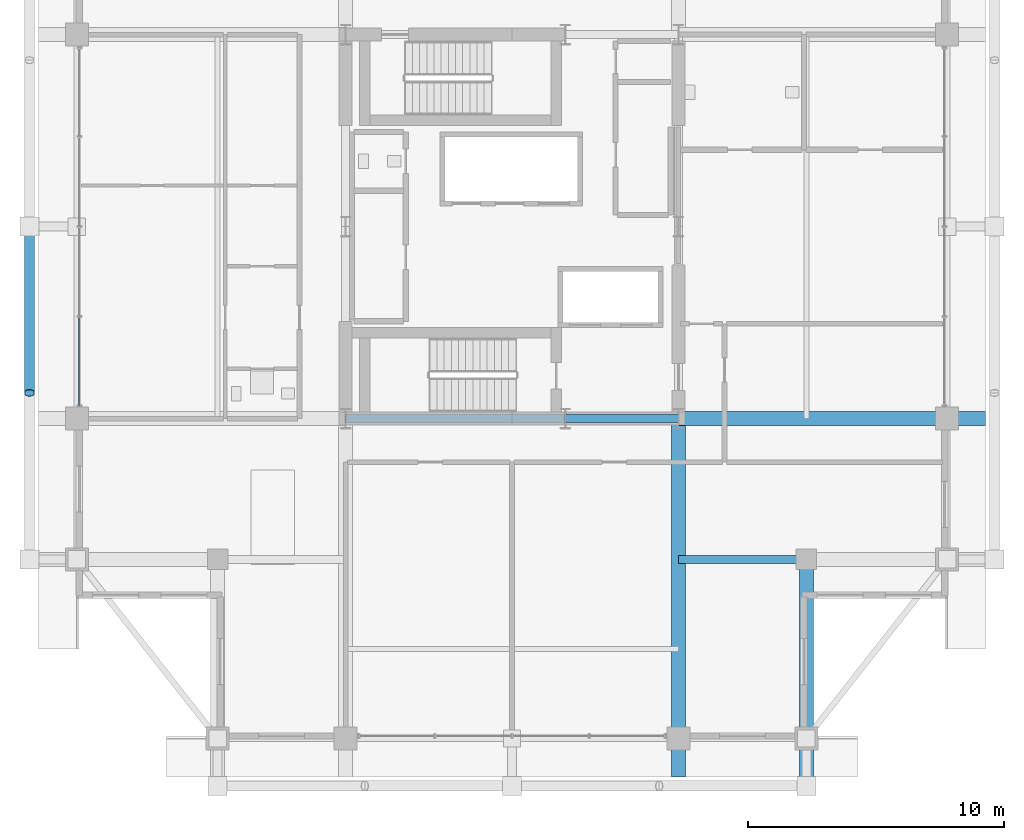
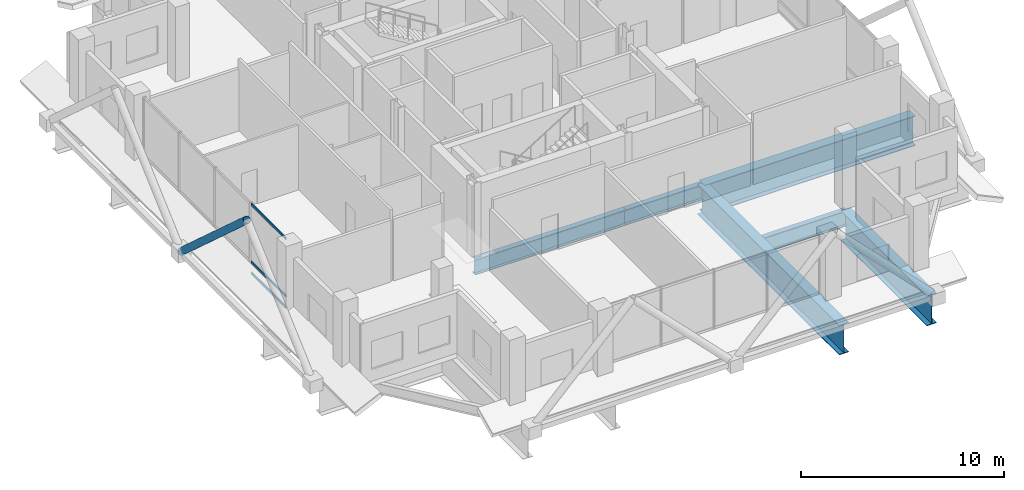
# One storey, part 8 of 27: 6 beams, 4 members, 1 element without a shape of its own.
"""IFC4 building model written with IfcOpenShell, lengths in metres."""

import ifcopenshell
import ifcopenshell.guid

model = None  # the IFC model being written
_history = None  # IfcOwnerHistory: only IFC2X3 demands one
_inside = {}  # id of a spatial element -> (the spatial element, [elements in it])
_under = {}  # id of a project, library or spatial element -> (it, [spatial elements below it])
_declared = {}  # id of a project -> (the project, [libraries it declares])
_typed = {}  # id of a type object -> (the type object, [elements of that type])
_made_of = {}  # id of a material, layer set ... -> (it, [elements and type objects made of it])


def new_model(schema):
    """Start an empty IFC model of exactly this schema.

    Asked for "IFC4X3", IfcOpenShell would pick the latest addendum, in which some entities
    have other attributes; the version numbers below select the first issue.
    IFC2X3 requires an IfcOwnerHistory on every rooted entity: one is made here for all.
    """
    global model, _history
    if schema == "IFC4X3":
        model = ifcopenshell.file(schema_version=(4, 3, 0, 0))
    else:
        model = ifcopenshell.file(schema=schema)
    _inside.clear()
    _under.clear()
    _declared.clear()
    _typed.clear()
    _made_of.clear()
    _history = None
    if model.schema == "IFC2X3":
        org = make("IfcOrganization", Name="unknown")
        user = make(
            "IfcPersonAndOrganization",
            ThePerson=make("IfcPerson", FamilyName="unknown"),
            TheOrganization=org,
        )
        app = make(
            "IfcApplication",
            ApplicationDeveloper=org,
            Version="unknown",
            ApplicationFullName="unknown",
            ApplicationIdentifier="unknown",
        )
        _history = make(
            "IfcOwnerHistory",
            OwningUser=user,
            OwningApplication=app,
            ChangeAction="ADDED",
            CreationDate=0,
        )
    return model


def make(cls, **values):
    """One entity of the class cls with the attributes given. An attribute that is None is left unset."""
    return model.create_entity(
        cls, **{name: value for name, value in values.items() if value is not None}
    )


def rooted(cls, **values):
    """An entity with a GlobalId (a new one), such as an element, a storey or a relation."""
    return make(cls, GlobalId=ifcopenshell.guid.new(), OwnerHistory=_history, **values)


def si_unit(unit_type, name, prefix=None):
    """IfcSIUnit, for example si_unit("LENGTHUNIT", "METRE", prefix="MILLI")."""
    return make("IfcSIUnit", UnitType=unit_type, Prefix=prefix, Name=name)


def assignment(units):
    """IfcUnitAssignment: the units of a project."""
    return None if units is None else make("IfcUnitAssignment", Units=units)


def point(xyz):
    """IfcCartesianPoint."""
    return None if xyz is None else make("IfcCartesianPoint", Coordinates=xyz)


def direction(xyz):
    """IfcDirection."""
    return None if xyz is None else make("IfcDirection", DirectionRatios=xyz)


def frame(location, z_axis=None, x_axis=None):
    """IfcAxis2Placement3D, a coordinate frame: its origin and axes. An axis left out is left unset."""
    return make(
        "IfcAxis2Placement3D",
        Location=point(location),
        Axis=direction(z_axis),
        RefDirection=direction(x_axis),
    )


def frame_2d(location, x_axis=None):
    """IfcAxis2Placement2D, a coordinate frame in the plane: its origin and x axis."""
    return make(
        "IfcAxis2Placement2D", Location=point(location), RefDirection=direction(x_axis)
    )


def origin():
    """The frame at (0, 0, 0) with its axes left unset."""
    return frame((0.0, 0.0, 0.0))


def origin_2d():
    """The frame at (0, 0) in the plane with its x axis left unset."""
    return frame_2d((0.0, 0.0))


def place(relative_to, where):
    """IfcLocalPlacement: puts the frame where relative to a parent placement (None: the world)."""
    return make(
        "IfcLocalPlacement", PlacementRelTo=relative_to, RelativePlacement=where
    )


def context(
    kind, dimensions, precision=None, world=None, true_north=None, identifier=None
):
    """IfcGeometricRepresentationContext, for example the 3D "Model" context."""
    return make(
        "IfcGeometricRepresentationContext",
        ContextIdentifier=identifier,
        ContextType=kind,
        CoordinateSpaceDimension=dimensions,
        Precision=precision,
        WorldCoordinateSystem=world,
        TrueNorth=true_north,
    )


def subcontext(parent, identifier, kind, view, scale=None):
    """IfcGeometricRepresentationSubContext, for example "Body" below "Model"."""
    return make(
        "IfcGeometricRepresentationSubContext",
        ContextIdentifier=identifier,
        ContextType=kind,
        ParentContext=parent,
        TargetScale=scale,
        TargetView=view,
    )


def project(units=None, contexts=None):
    """IfcProject with its units and contexts."""
    return rooted(
        "IfcProject",
        Name="project",
        RepresentationContexts=contexts,
        UnitsInContext=assignment(units),
    )


def spatial(cls, under=None, at=None, **own):
    """A site, building, storey or space (cls), placed at a placement, below another one or the project."""
    s = rooted(cls, ObjectPlacement=at, **own)
    if under is not None:
        _under.setdefault(under.id(), (under, []))[1].append(s)
    return s


def profile(cls, at=None, kind="AREA", **sizes):
    """A parametric profile (cls). Its sizes go by their IFC names, for example OverallWidth=200.0."""
    return make(cls, ProfileType=kind, Position=at, **sizes)


def hollow_rectangle(**sizes):
    """IfcRectangleHollowProfileDef."""
    return profile("IfcRectangleHollowProfileDef", **sizes)


def hollow_circle(**sizes):
    """IfcCircleHollowProfileDef."""
    return profile("IfcCircleHollowProfileDef", **sizes)


def i_section(**sizes):
    """IfcIShapeProfileDef."""
    return profile("IfcIShapeProfileDef", **sizes)


def extrude(swept, where, along, depth):
    """IfcExtrudedAreaSolid: the profile swept, set in the frame where, extruded along a direction by depth."""
    return make(
        "IfcExtrudedAreaSolid",
        SweptArea=swept,
        Position=where,
        ExtrudedDirection=direction(along),
        Depth=depth,
    )


def shape(context_of_items, identifier, shape_type, items):
    """IfcShapeRepresentation: the items that make up one representation, for example the "Body"."""
    return make(
        "IfcShapeRepresentation",
        ContextOfItems=context_of_items,
        RepresentationIdentifier=identifier,
        RepresentationType=shape_type,
        Items=items,
    )


def material(Name=None, Category=None):
    """IfcMaterial."""
    return make("IfcMaterial", Name=Name, Category=Category)


def layer(
    of_material, thickness, ventilated=None, Name=None, Category=None, Priority=None
):
    """IfcMaterialLayer: one layer of a wall or slab, of a material (None: an air gap)."""
    return make(
        "IfcMaterialLayer",
        Material=of_material,
        LayerThickness=thickness,
        IsVentilated=ventilated,
        Name=Name,
        Category=Category,
        Priority=Priority,
    )


def layer_set(layers, Name=None):
    """IfcMaterialLayerSet."""
    return make("IfcMaterialLayerSet", MaterialLayers=layers, LayerSetName=Name)


def material_profile(
    of_material, cross_section, Name=None, Category=None, Priority=None
):
    """IfcMaterialProfile: a cross section and its material."""
    return make(
        "IfcMaterialProfile",
        Name=Name,
        Material=of_material,
        Profile=cross_section,
        Priority=Priority,
        Category=Category,
    )


def profile_set(profiles, Name=None, composite=None):
    """IfcMaterialProfileSet."""
    return make(
        "IfcMaterialProfileSet",
        Name=Name,
        MaterialProfiles=profiles,
        CompositeProfile=composite,
    )


def made_of(thing, what):
    """Note that an element or type object is made of a material, layer set ...; save() writes the relation."""
    if what is not None:
        _made_of.setdefault(what.id(), (what, []))[1].append(thing)
    return thing


def type_object(cls, material=None, **own):
    """A type object (cls), such as IfcWallType, which elements share."""
    return made_of(rooted(cls, **own), material)


def element(
    cls,
    number,
    at=None,
    inside=None,
    cuts=None,
    type_object=None,
    material=None,
    context=None,
    identifier="Body",
    shape_type=None,
    held_by="IfcProductDefinitionShape",
    body=None,
    shapes=None,
    **own,
):
    """One element of the class cls, such as IfcWall. Its Tag is "e" and its number.

    at: its placement. inside: the storey or other place that contains it. cuts: it is an
    opening in that element (IfcRelVoidsElement). A single representation is given by context,
    identifier, shape_type and body (its items); several are given by shapes. held_by: the class
    of the entity that holds the representations. save() writes the other relations.
    """
    e = rooted(cls, Tag="e%d" % number, ObjectPlacement=at, **own)
    if body is not None:
        shapes = [shape(context, identifier, shape_type, body)]
    if shapes is not None:
        e.Representation = make(held_by, Representations=shapes)
    if inside is not None:
        _inside.setdefault(inside.id(), (inside, []))[1].append(e)
    if cuts is not None:
        rooted(
            "IfcRelVoidsElement", RelatingBuildingElement=cuts, RelatedOpeningElement=e
        )
    if type_object is not None:
        _typed.setdefault(type_object.id(), (type_object, []))[1].append(e)
    return made_of(e, material)


def aggregate(whole, parts):
    """IfcRelAggregates: a whole, such as a stair, and the parts it consists of."""
    return rooted("IfcRelAggregates", RelatingObject=whole, RelatedObjects=parts)


def save(model, path):
    """Write the relations noted so far, then the file.

    IfcRelAggregates (storeys below a building ...), IfcRelContainedInSpatialStructure (elements
    in a storey), IfcRelDefinesByType, IfcRelAssociatesMaterial and IfcRelDeclares: one each for
    every whole, place, type object, material and project.
    """
    for whole, parts in _under.values():
        aggregate(whole, parts)
    for where, things in _inside.values():
        rooted(
            "IfcRelContainedInSpatialStructure",
            RelatedElements=things,
            RelatingStructure=where,
        )
    for kind, things in _typed.values():
        rooted("IfcRelDefinesByType", RelatedObjects=things, RelatingType=kind)
    for what, things in _made_of.values():
        rooted("IfcRelAssociatesMaterial", RelatedObjects=things, RelatingMaterial=what)
    for by, libraries in _declared.values():
        rooted("IfcRelDeclares", RelatingContext=by, RelatedDefinitions=libraries)
    model.write(path)


model = new_model("IFC4")

# Units and contexts
model_context = context("Model", 3, precision=1e-05, world=origin(), true_north=direction((0.0, 1.0)))
body_context = subcontext(model_context, "Body", "Model", "MODEL_VIEW")
ifc_project = project(units=[si_unit("LENGTHUNIT", "METRE"), si_unit("AREAUNIT", "SQUARE_METRE"), si_unit("VOLUMEUNIT", "CUBIC_METRE"), si_unit("PLANEANGLEUNIT", "RADIAN"), si_unit("MASSUNIT", "GRAM", prefix="KILO")], contexts=[model_context])

# Site, building, storey
site_placement = place(None, origin())
site = spatial("IfcSite", under=ifc_project, at=site_placement, CompositionType="ELEMENT")
building_placement = place(site_placement, origin())
building = spatial("IfcBuilding", under=site, at=building_placement, Name="Barlavira Tower and Art Museum", CompositionType="ELEMENT")
storey_placement = place(building_placement, frame((0.0, 0.0, 217.800048828125)))
storey = spatial("IfcBuildingStorey", under=building, at=storey_placement, Name="L56", CompositionType="ELEMENT", Elevation=217.800048828125)

# Curtain wall, members
ifc_material_1 = material(Name="Low-iron coastal laminated glass", Category="glass")
ifc_layer = layer(ifc_material_1, 0.2099609375, Name="Low-iron coastal laminated glass")
ifc_layer_set = layer_set([ifc_layer], Name="Low-iron coastal laminated glass")
curtain_wall_type = type_object("IfcCurtainWallType", Name="Pale-Metal Unitised Curtain Wall Zone 4", PredefinedType="NOTDEFINED", material=ifc_layer_set)
curtain_wall_placement = place(storey_placement, origin())
curtain_wall = element("IfcCurtainWall", 1, at=curtain_wall_placement, inside=storey, type_object=curtain_wall_type, Name="L56 Curtain Wall CW4-L56-W-B3", PredefinedType="NOTDEFINED")
ifc_material_2 = material(Name="Pale anodised aluminium", Category="aluminium")
ifc_material_profile_1 = material_profile(ifc_material_2, hollow_rectangle(XDim=0.06494140625, YDim=0.139892578125, WallThickness=0.00390625, at=origin_2d()), Name="ALU-TRAN 65x140x4")
ifc_profile_set_1 = profile_set([ifc_material_profile_1], Name="Pale anodised aluminium")
member_type_1 = type_object("IfcMemberType", Name="Curtain Wall Pale-Metal Transom 65x140", PredefinedType="USERDEFINED", material=ifc_profile_set_1)
member_1_placement = place(storey_placement, frame((-16.89990234375, -3.56005859375, 0.070068359375), z_axis=(0.0, -1.0, 0.0), x_axis=(1.0, 0.0, 0.0)))
member_1 = element("IfcMember", 2, at=member_1_placement, type_object=member_type_1, Name="CW4-L56-W-B3 Transom 3.1", ObjectType="TRANSOM", PredefinedType="USERDEFINED", context=body_context, shape_type="SweptSolid", body=[
    extrude(hollow_rectangle(XDim=0.06494140625, YDim=0.139892578125, WallThickness=0.00390625, at=origin_2d()), origin(), (0.0, 0.0, 1.0), 3.425048828125),
])
member_2_placement = place(storey_placement, frame((-16.89990234375, -3.56005859375, 0.75), z_axis=(0.0, -1.0, 0.0), x_axis=(1.0, 0.0, 0.0)))
member_2 = element("IfcMember", 3, at=member_2_placement, type_object=member_type_1, Name="CW4-L56-W-B3 Transom 3.2", ObjectType="TRANSOM", PredefinedType="USERDEFINED", context=body_context, shape_type="SweptSolid", body=[
    extrude(hollow_rectangle(XDim=0.06494140625, YDim=0.139892578125, WallThickness=0.00390625, at=origin_2d()), origin(), (0.0, 0.0, 1.0), 3.425048828125),
])
member_3_placement = place(storey_placement, frame((-16.89990234375, -3.56005859375, 4.2099609375), z_axis=(0.0, -1.0, 0.0), x_axis=(1.0, 0.0, 0.0)))
member_3 = element("IfcMember", 4, at=member_3_placement, type_object=member_type_1, Name="CW4-L56-W-B3 Transom 3.3", ObjectType="TRANSOM", PredefinedType="USERDEFINED", context=body_context, shape_type="SweptSolid", body=[
    extrude(hollow_rectangle(XDim=0.06494140625, YDim=0.139892578125, WallThickness=0.00390625, at=origin_2d()), origin(), (0.0, 0.0, 1.0), 3.425048828125),
])
aggregate(curtain_wall, [member_1, member_2, member_3])

# Member
ifc_material_3 = material(Name="Steel S355", Category="steel")
ifc_material_profile_2 = material_profile(ifc_material_3, hollow_circle(Radius=0.203125, WallThickness=0.01611328125, at=origin_2d()), Name="CHS 406.4x16.0")
ifc_profile_set_2 = profile_set([ifc_material_profile_2], Name="Steel S355")
member_type_2 = type_object("IfcMemberType", Name="Pale-Metal Exoskeleton Diagrid Tube CHS 406x16 Steel S355", PredefinedType="BRACE", material=ifc_profile_set_2)
member_4_placement = place(storey_placement, frame((-18.85009765625, 0.0, -0.1201171875), z_axis=(0.0, -0.743288593472, 0.668970901321), x_axis=(1.0, 0.0, 0.0)))
element("IfcMember", 5, at=member_4_placement, inside=storey, type_object=member_type_2, Name="L56 Exoskeleton Diagrid Tube W", PredefinedType="BRACE", context=body_context, shape_type="SweptSolid", body=[
    extrude(hollow_circle(Radius=0.203125, WallThickness=0.01611328125, at=origin_2d()), origin(), (0.0, 0.0, 1.0), 8.744873046875),
])

# Beams
ifc_material_profile_3 = material_profile(ifc_material_3, i_section(OverallWidth=0.30908203125, OverallDepth=0.931884765625, WebThickness=0.01953125, FlangeThickness=0.034423828125, at=origin_2d()), Name="W920x313.0")
ifc_profile_set_3 = profile_set([ifc_material_profile_3], Name="Steel S355")
beam_type_1 = type_object("IfcBeamType", Name="Setback Ring Girder W920x313 Steel S355", PredefinedType="BEAM", material=ifc_profile_set_3)
beam_1_placement = place(storey_placement, frame((-6.5, -7.5, -0.76611328125), z_axis=(1.0, 0.0, 0.0), x_axis=(0.0, 1.0, 0.0)))
element("IfcBeam", 6, at=beam_1_placement, inside=storey, type_object=beam_type_1, Name="L56 Girder C-S1", PredefinedType="BEAM", context=body_context, shape_type="SweptSolid", body=[
    extrude(i_section(OverallWidth=0.30908203125, OverallDepth=0.931884765625, WebThickness=0.01953125, FlangeThickness=0.034423828125, at=origin_2d()), origin(), (0.0, 0.0, 1.0), 8.580078125),
])
beam_2_placement = place(storey_placement, frame((2.080078125, -7.5, -0.76611328125), z_axis=(1.0, 0.0, 0.0), x_axis=(0.0, 1.0, 0.0)))
element("IfcBeam", 7, at=beam_2_placement, inside=storey, type_object=beam_type_1, Name="L56 Girder C-S2", PredefinedType="BEAM", context=body_context, shape_type="SweptSolid", body=[
    extrude(i_section(OverallWidth=0.30908203125, OverallDepth=0.931884765625, WebThickness=0.01953125, FlangeThickness=0.034423828125, at=origin_2d()), origin(), (0.0, 0.0, 1.0), 4.419921875),
])
beam_3_placement = place(storey_placement, frame((6.5, -13.0, -0.76611328125), z_axis=(1.0, 0.0, 0.0), x_axis=(0.0, 1.0, 0.0)))
element("IfcBeam", 8, at=beam_3_placement, inside=storey, type_object=beam_type_1, Name="L56 Girder I-S3", PredefinedType="BEAM", context=body_context, shape_type="SweptSolid", body=[
    extrude(i_section(OverallWidth=0.30908203125, OverallDepth=0.931884765625, WebThickness=0.01953125, FlangeThickness=0.034423828125, at=origin_2d()), origin(), (0.0, 0.0, 1.0), 5.0),
])
ifc_material_profile_4 = material_profile(ifc_material_3, i_section(OverallWidth=0.550048828125, OverallDepth=1.800048828125, WebThickness=0.02587890625, FlangeThickness=0.033935546875, at=origin_2d()), Name="CVS1800x520")
ifc_profile_set_4 = profile_set([ifc_material_profile_4], Name="Steel S355")
beam_type_2 = type_object("IfcBeamType", Name="Zone Setback Transfer Girder CVS1800x520 Steel S355", PredefinedType="USERDEFINED", material=ifc_profile_set_4)
beam_4_placement = place(storey_placement, frame((6.5, -21.5, -1.199951171875), z_axis=(0.0, 1.0, 0.0), x_axis=(-1.0, 0.0, 0.0)))
element("IfcBeam", 9, at=beam_4_placement, inside=storey, type_object=beam_type_2, Name="L56 Setback Transfer Girder TGL56-02B", ObjectType="TRANSFER GIRDER", PredefinedType="USERDEFINED", context=body_context, shape_type="SweptSolid", body=[
    extrude(i_section(OverallWidth=0.550048828125, OverallDepth=1.800048828125, WebThickness=0.02587890625, FlangeThickness=0.033935546875, at=origin_2d()), origin(), (0.0, 0.0, 1.0), 14.0),
])
beam_5_placement = place(storey_placement, frame((11.5, -21.5, -1.199951171875), z_axis=(0.0, 1.0, 0.0), x_axis=(-1.0, 0.0, 0.0)))
element("IfcBeam", 10, at=beam_5_placement, inside=storey, type_object=beam_type_2, Name="L56 Setback Transfer Girder TGL56-03", ObjectType="TRANSFER GIRDER", PredefinedType="USERDEFINED", context=body_context, shape_type="SweptSolid", body=[
    extrude(i_section(OverallWidth=0.550048828125, OverallDepth=1.800048828125, WebThickness=0.02587890625, FlangeThickness=0.033935546875, at=origin_2d()), origin(), (0.0, 0.0, 1.0), 8.5),
])
beam_6_placement = place(storey_placement, frame((6.5, -7.5, -1.199951171875), z_axis=(1.0, 0.0, 0.0), x_axis=(0.0, 1.0, 0.0)))
element("IfcBeam", 11, at=beam_6_placement, inside=storey, type_object=beam_type_2, Name="L56 Setback Transfer Girder TGL56-11A", ObjectType="TRANSFER GIRDER", PredefinedType="USERDEFINED", context=body_context, shape_type="SweptSolid", body=[
    extrude(i_section(OverallWidth=0.550048828125, OverallDepth=1.800048828125, WebThickness=0.02587890625, FlangeThickness=0.033935546875, at=origin_2d()), origin(), (0.0, 0.0, 1.0), 12.0),
])

save(model, "model.ifc")
